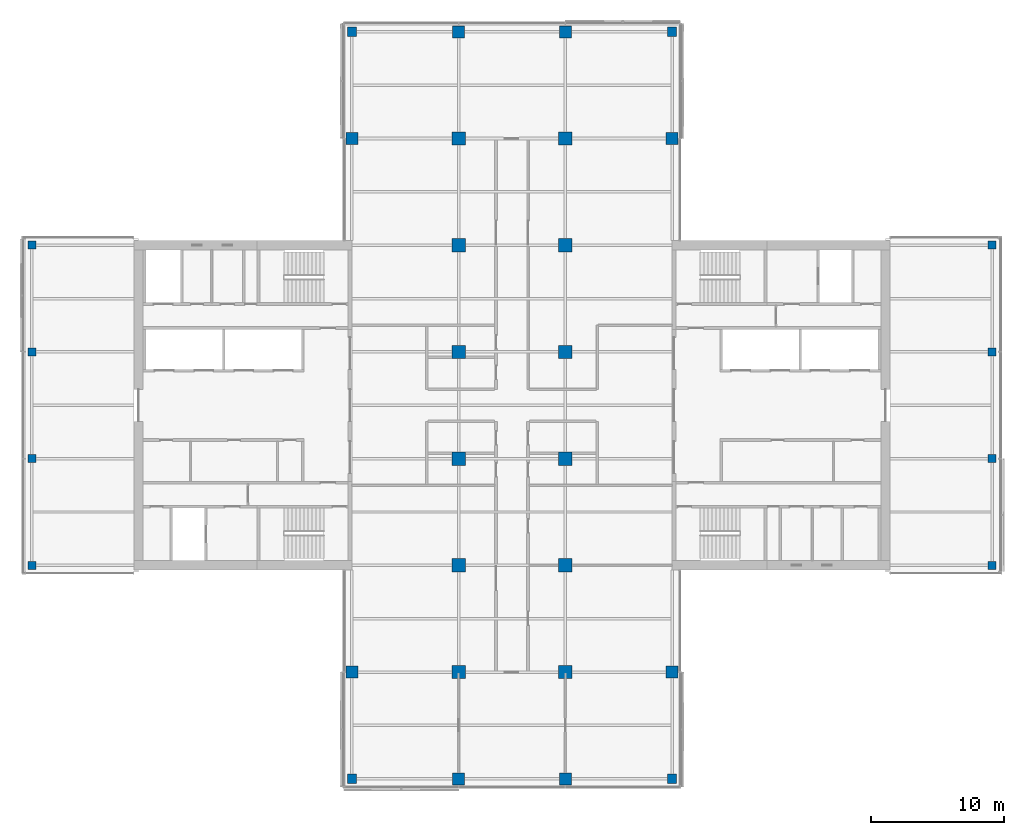
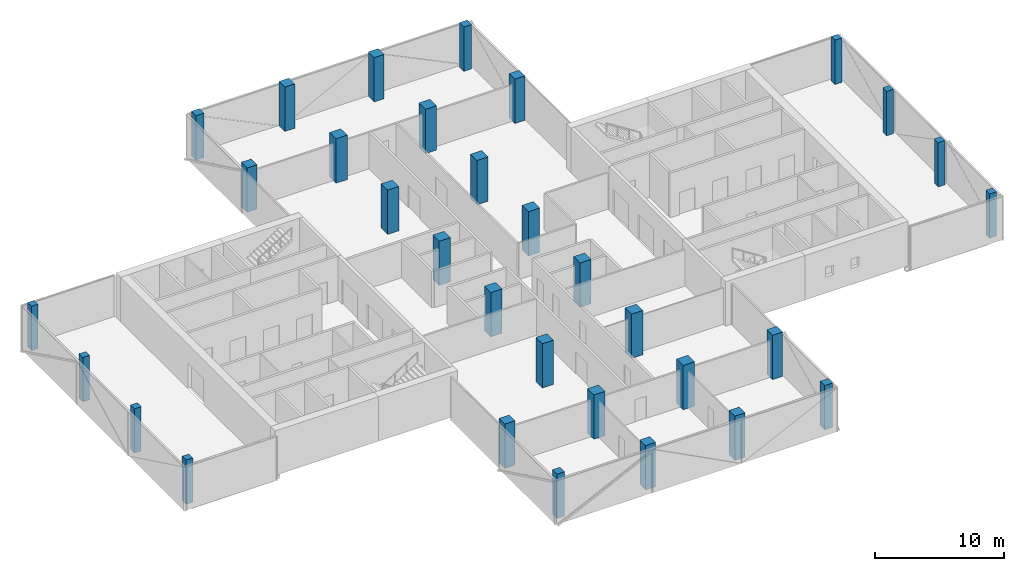
# One storey, part 1 of 22: 32 columns.
"""IFC4 building model written with IfcOpenShell, lengths in metres."""

import ifcopenshell
import ifcopenshell.guid

model = None  # the IFC model being written
_history = None  # IfcOwnerHistory: only IFC2X3 demands one
_inside = {}  # id of a spatial element -> (the spatial element, [elements in it])
_under = {}  # id of a project, library or spatial element -> (it, [spatial elements below it])
_declared = {}  # id of a project -> (the project, [libraries it declares])
_typed = {}  # id of a type object -> (the type object, [elements of that type])
_made_of = {}  # id of a material, layer set ... -> (it, [elements and type objects made of it])


def new_model(schema):
    """Start an empty IFC model of exactly this schema.

    Asked for "IFC4X3", IfcOpenShell would pick the latest addendum, in which some entities
    have other attributes; the version numbers below select the first issue.
    IFC2X3 requires an IfcOwnerHistory on every rooted entity: one is made here for all.
    """
    global model, _history
    if schema == "IFC4X3":
        model = ifcopenshell.file(schema_version=(4, 3, 0, 0))
    else:
        model = ifcopenshell.file(schema=schema)
    _inside.clear()
    _under.clear()
    _declared.clear()
    _typed.clear()
    _made_of.clear()
    _history = None
    if model.schema == "IFC2X3":
        org = make("IfcOrganization", Name="unknown")
        user = make(
            "IfcPersonAndOrganization",
            ThePerson=make("IfcPerson", FamilyName="unknown"),
            TheOrganization=org,
        )
        app = make(
            "IfcApplication",
            ApplicationDeveloper=org,
            Version="unknown",
            ApplicationFullName="unknown",
            ApplicationIdentifier="unknown",
        )
        _history = make(
            "IfcOwnerHistory",
            OwningUser=user,
            OwningApplication=app,
            ChangeAction="ADDED",
            CreationDate=0,
        )
    return model


def make(cls, **values):
    """One entity of the class cls with the attributes given. An attribute that is None is left unset."""
    return model.create_entity(
        cls, **{name: value for name, value in values.items() if value is not None}
    )


def rooted(cls, **values):
    """An entity with a GlobalId (a new one), such as an element, a storey or a relation."""
    return make(cls, GlobalId=ifcopenshell.guid.new(), OwnerHistory=_history, **values)


def si_unit(unit_type, name, prefix=None):
    """IfcSIUnit, for example si_unit("LENGTHUNIT", "METRE", prefix="MILLI")."""
    return make("IfcSIUnit", UnitType=unit_type, Prefix=prefix, Name=name)


def assignment(units):
    """IfcUnitAssignment: the units of a project."""
    return None if units is None else make("IfcUnitAssignment", Units=units)


def point(xyz):
    """IfcCartesianPoint."""
    return None if xyz is None else make("IfcCartesianPoint", Coordinates=xyz)


def direction(xyz):
    """IfcDirection."""
    return None if xyz is None else make("IfcDirection", DirectionRatios=xyz)


def frame(location, z_axis=None, x_axis=None):
    """IfcAxis2Placement3D, a coordinate frame: its origin and axes. An axis left out is left unset."""
    return make(
        "IfcAxis2Placement3D",
        Location=point(location),
        Axis=direction(z_axis),
        RefDirection=direction(x_axis),
    )


def frame_2d(location, x_axis=None):
    """IfcAxis2Placement2D, a coordinate frame in the plane: its origin and x axis."""
    return make(
        "IfcAxis2Placement2D", Location=point(location), RefDirection=direction(x_axis)
    )


def origin():
    """The frame at (0, 0, 0) with its axes left unset."""
    return frame((0.0, 0.0, 0.0))


def origin_2d():
    """The frame at (0, 0) in the plane with its x axis left unset."""
    return frame_2d((0.0, 0.0))


def place(relative_to, where):
    """IfcLocalPlacement: puts the frame where relative to a parent placement (None: the world)."""
    return make(
        "IfcLocalPlacement", PlacementRelTo=relative_to, RelativePlacement=where
    )


def context(
    kind, dimensions, precision=None, world=None, true_north=None, identifier=None
):
    """IfcGeometricRepresentationContext, for example the 3D "Model" context."""
    return make(
        "IfcGeometricRepresentationContext",
        ContextIdentifier=identifier,
        ContextType=kind,
        CoordinateSpaceDimension=dimensions,
        Precision=precision,
        WorldCoordinateSystem=world,
        TrueNorth=true_north,
    )


def subcontext(parent, identifier, kind, view, scale=None):
    """IfcGeometricRepresentationSubContext, for example "Body" below "Model"."""
    return make(
        "IfcGeometricRepresentationSubContext",
        ContextIdentifier=identifier,
        ContextType=kind,
        ParentContext=parent,
        TargetScale=scale,
        TargetView=view,
    )


def project(units=None, contexts=None):
    """IfcProject with its units and contexts."""
    return rooted(
        "IfcProject",
        Name="project",
        RepresentationContexts=contexts,
        UnitsInContext=assignment(units),
    )


def spatial(cls, under=None, at=None, **own):
    """A site, building, storey or space (cls), placed at a placement, below another one or the project."""
    s = rooted(cls, ObjectPlacement=at, **own)
    if under is not None:
        _under.setdefault(under.id(), (under, []))[1].append(s)
    return s


def profile(cls, at=None, kind="AREA", **sizes):
    """A parametric profile (cls). Its sizes go by their IFC names, for example OverallWidth=200.0."""
    return make(cls, ProfileType=kind, Position=at, **sizes)


def rectangle(**sizes):
    """IfcRectangleProfileDef."""
    return profile("IfcRectangleProfileDef", **sizes)


def extrude(swept, where, along, depth):
    """IfcExtrudedAreaSolid: the profile swept, set in the frame where, extruded along a direction by depth."""
    return make(
        "IfcExtrudedAreaSolid",
        SweptArea=swept,
        Position=where,
        ExtrudedDirection=direction(along),
        Depth=depth,
    )


def shape(context_of_items, identifier, shape_type, items):
    """IfcShapeRepresentation: the items that make up one representation, for example the "Body"."""
    return make(
        "IfcShapeRepresentation",
        ContextOfItems=context_of_items,
        RepresentationIdentifier=identifier,
        RepresentationType=shape_type,
        Items=items,
    )


def material(Name=None, Category=None):
    """IfcMaterial."""
    return make("IfcMaterial", Name=Name, Category=Category)


def material_profile(
    of_material, cross_section, Name=None, Category=None, Priority=None
):
    """IfcMaterialProfile: a cross section and its material."""
    return make(
        "IfcMaterialProfile",
        Name=Name,
        Material=of_material,
        Profile=cross_section,
        Priority=Priority,
        Category=Category,
    )


def profile_set(profiles, Name=None, composite=None):
    """IfcMaterialProfileSet."""
    return make(
        "IfcMaterialProfileSet",
        Name=Name,
        MaterialProfiles=profiles,
        CompositeProfile=composite,
    )


def made_of(thing, what):
    """Note that an element or type object is made of a material, layer set ...; save() writes the relation."""
    if what is not None:
        _made_of.setdefault(what.id(), (what, []))[1].append(thing)
    return thing


def type_object(cls, material=None, **own):
    """A type object (cls), such as IfcWallType, which elements share."""
    return made_of(rooted(cls, **own), material)


def element(
    cls,
    number,
    at=None,
    inside=None,
    cuts=None,
    type_object=None,
    material=None,
    context=None,
    identifier="Body",
    shape_type=None,
    held_by="IfcProductDefinitionShape",
    body=None,
    shapes=None,
    **own,
):
    """One element of the class cls, such as IfcWall. Its Tag is "e" and its number.

    at: its placement. inside: the storey or other place that contains it. cuts: it is an
    opening in that element (IfcRelVoidsElement). A single representation is given by context,
    identifier, shape_type and body (its items); several are given by shapes. held_by: the class
    of the entity that holds the representations. save() writes the other relations.
    """
    e = rooted(cls, Tag="e%d" % number, ObjectPlacement=at, **own)
    if body is not None:
        shapes = [shape(context, identifier, shape_type, body)]
    if shapes is not None:
        e.Representation = make(held_by, Representations=shapes)
    if inside is not None:
        _inside.setdefault(inside.id(), (inside, []))[1].append(e)
    if cuts is not None:
        rooted(
            "IfcRelVoidsElement", RelatingBuildingElement=cuts, RelatedOpeningElement=e
        )
    if type_object is not None:
        _typed.setdefault(type_object.id(), (type_object, []))[1].append(e)
    return made_of(e, material)


def aggregate(whole, parts):
    """IfcRelAggregates: a whole, such as a stair, and the parts it consists of."""
    return rooted("IfcRelAggregates", RelatingObject=whole, RelatedObjects=parts)


def save(model, path):
    """Write the relations noted so far, then the file.

    IfcRelAggregates (storeys below a building ...), IfcRelContainedInSpatialStructure (elements
    in a storey), IfcRelDefinesByType, IfcRelAssociatesMaterial and IfcRelDeclares: one each for
    every whole, place, type object, material and project.
    """
    for whole, parts in _under.values():
        aggregate(whole, parts)
    for where, things in _inside.values():
        rooted(
            "IfcRelContainedInSpatialStructure",
            RelatedElements=things,
            RelatingStructure=where,
        )
    for kind, things in _typed.values():
        rooted("IfcRelDefinesByType", RelatedObjects=things, RelatingType=kind)
    for what, things in _made_of.values():
        rooted("IfcRelAssociatesMaterial", RelatedObjects=things, RelatingMaterial=what)
    for by, libraries in _declared.values():
        rooted("IfcRelDeclares", RelatingContext=by, RelatedDefinitions=libraries)
    model.write(path)


model = new_model("IFC4")

# Units and contexts
model_context = context("Model", 3, precision=1e-05, world=origin(), true_north=direction((0.0, 1.0)))
body_context = subcontext(model_context, "Body", "Model", "MODEL_VIEW")
ifc_project = project(units=[si_unit("LENGTHUNIT", "METRE"), si_unit("AREAUNIT", "SQUARE_METRE"), si_unit("VOLUMEUNIT", "CUBIC_METRE"), si_unit("PLANEANGLEUNIT", "RADIAN"), si_unit("MASSUNIT", "GRAM", prefix="KILO")], contexts=[model_context])

# Site, building, storey
site_placement = place(None, origin())
site = spatial("IfcSite", under=ifc_project, at=site_placement, CompositionType="ELEMENT")
building_placement = place(site_placement, origin())
building = spatial("IfcBuilding", under=site, at=building_placement, Name="Crosswind Convention Tower", CompositionType="ELEMENT")
storey_placement = place(building_placement, frame((0.0, 0.0, 125.300048828125)))
storey = spatial("IfcBuildingStorey", under=building, at=storey_placement, Name="L25", CompositionType="ELEMENT", Elevation=125.300048828125)

# Columns
ifc_material_1 = material(Name="Concrete C70/85", Category="concrete")
ifc_material_profile_1 = material_profile(ifc_material_1, rectangle(XDim=1.0, YDim=1.0, at=origin_2d()), Name="RC 1000X1000")
ifc_profile_set_1 = profile_set([ifc_material_profile_1], Name="Concrete C70/85")
column_type_1 = type_object("IfcColumnType", Name="Column RC 1000X1000", PredefinedType="COLUMN", material=ifc_profile_set_1)
for number, where, z_axis, x_axis, name in (
    (1, (121.0, 80.0, 0.0), (0.0, 0.0, 1.0), (1.0, 0.0, 0.0), "C12 L25 6/D"),
    (2, (121.0, 88.0, 0.0), (0.0, 0.0, 1.0), (1.0, 0.0, 0.0), "C12 L25 6/E"),
    (3, (121.0, 96.0, 0.0), (0.0, 0.0, 1.0), (1.0, 0.0, 0.0), "C12 L25 6/F"),
    (4, (121.0, 104.0, 0.0), (0.0, 0.0, 1.0), (1.0, 0.0, 0.0), "C12 L25 6/G"),
    (5, (121.0, 112.0, 0.0), (0.0, 0.0, 1.0), (1.0, 0.0, 0.0), "C12 L25 6/H"),
    (6, (121.0, 120.0, 0.0), (0.0, 0.0, 1.0), (1.0, 0.0, 0.0), "C12 L25 6/I"),
    (7, (129.0, 80.0, 0.0), (0.0, 0.0, 1.0), (1.0, 0.0, 0.0), "C12 L25 7/D"),
    (8, (129.0, 88.0, 0.0), (0.0, 0.0, 1.0), (1.0, 0.0, 0.0), "C12 L25 7/E"),
    (9, (129.0, 96.0, 0.0), (0.0, 0.0, 1.0), (1.0, 0.0, 0.0), "C12 L25 7/F"),
    (10, (129.0, 104.0, 0.0), (0.0, 0.0, 1.0), (1.0, 0.0, 0.0), "C12 L25 7/G"),
    (11, (129.0, 112.0, 0.0), (0.0, 0.0, 1.0), (1.0, 0.0, 0.0), "C12 L25 7/H"),
    (12, (129.0, 120.0, 0.0), (0.0, 0.0, 1.0), (1.0, 0.0, 0.0), "C12 L25 7/I"),
):
    element("IfcColumn", number, at=place(storey_placement, frame(where, z_axis=z_axis, x_axis=x_axis)), inside=storey, type_object=column_type_1, Name=name, PredefinedType="COLUMN", context=body_context, shape_type="SweptSolid", body=[
        extrude(rectangle(XDim=1.0, YDim=1.0, at=origin_2d()), origin(), (0.0, 0.0, 1.0), 4.199951171875),
    ])
ifc_material_2 = material(Name="Concrete C60/75", Category="concrete")
ifc_material_profile_2 = material_profile(ifc_material_2, rectangle(XDim=0.60009765625, YDim=0.60009765625, at=origin_2d()), Name="RC 600X600")
ifc_profile_set_2 = profile_set([ifc_material_profile_2], Name="Concrete C60/75")
column_type_2 = type_object("IfcColumnType", Name="Column RC 600X600", PredefinedType="COLUMN", material=ifc_profile_set_2)
for number, where, z_axis, x_axis, name in (
    (13, (89.0, 88.0, 0.0), (0.0, 0.0, 1.0), (1.0, 0.0, 0.0), "C16 L25 2/E"),
    (14, (89.0, 96.0, 0.0), (0.0, 0.0, 1.0), (1.0, 0.0, 0.0), "C16 L25 2/F"),
    (15, (89.0, 104.0, 0.0), (0.0, 0.0, 1.0), (1.0, 0.0, 0.0), "C16 L25 2/G"),
    (16, (89.0, 112.0, 0.0), (0.0, 0.0, 1.0), (1.0, 0.0, 0.0), "C16 L25 2/H"),
    (17, (161.0, 88.0, 0.0), (0.0, 0.0, 1.0), (1.0, 0.0, 0.0), "C16 L25 11/E"),
    (18, (161.0, 96.0, 0.0), (0.0, 0.0, 1.0), (1.0, 0.0, 0.0), "C16 L25 11/F"),
    (19, (161.0, 104.0, 0.0), (0.0, 0.0, 1.0), (1.0, 0.0, 0.0), "C16 L25 11/G"),
    (20, (161.0, 112.0, 0.0), (0.0, 0.0, 1.0), (1.0, 0.0, 0.0), "C16 L25 11/H"),
):
    element("IfcColumn", number, at=place(storey_placement, frame(where, z_axis=z_axis, x_axis=x_axis)), inside=storey, type_object=column_type_2, Name=name, PredefinedType="COLUMN", context=body_context, shape_type="SweptSolid", body=[
        extrude(rectangle(XDim=0.60009765625, YDim=0.60009765625, at=origin_2d()), origin(), (0.0, 0.0, 1.0), 4.199951171875),
    ])
ifc_material_profile_3 = material_profile(ifc_material_2, rectangle(XDim=0.699951171875, YDim=0.699951171875, at=origin_2d()), Name="RC 700X700")
ifc_profile_set_3 = profile_set([ifc_material_profile_3], Name="Concrete C60/75")
column_type_3 = type_object("IfcColumnType", Name="Column RC 700X700", PredefinedType="COLUMN", material=ifc_profile_set_3)
for number, where, z_axis, x_axis, name in (
    (21, (113.0, 72.0, 0.0), (0.0, 0.0, 1.0), (1.0, 0.0, 0.0), "C15 L25 5/C"),
    (22, (113.0, 128.0, 0.0), (0.0, 0.0, 1.0), (1.0, 0.0, 0.0), "C15 L25 5/J"),
    (23, (137.0, 72.0, 0.0), (0.0, 0.0, 1.0), (1.0, 0.0, 0.0), "C15 L25 8/C"),
    (24, (137.0, 128.0, 0.0), (0.0, 0.0, 1.0), (1.0, 0.0, 0.0), "C15 L25 8/J"),
):
    element("IfcColumn", number, at=place(storey_placement, frame(where, z_axis=z_axis, x_axis=x_axis)), inside=storey, type_object=column_type_3, Name=name, PredefinedType="COLUMN", context=body_context, shape_type="SweptSolid", body=[
        extrude(rectangle(XDim=0.699951171875, YDim=0.699951171875, at=origin_2d()), origin(), (0.0, 0.0, 1.0), 4.199951171875),
    ])
ifc_material_profile_4 = material_profile(ifc_material_2, rectangle(XDim=0.89990234375, YDim=0.89990234375, at=origin_2d()), Name="RC 900X900")
ifc_profile_set_4 = profile_set([ifc_material_profile_4], Name="Concrete C60/75")
column_type_4 = type_object("IfcColumnType", Name="Column RC 900X900", PredefinedType="COLUMN", material=ifc_profile_set_4)
for number, where, z_axis, x_axis, name in (
    (25, (113.0, 80.0, 0.0), (0.0, 0.0, 1.0), (1.0, 0.0, 0.0), "C13 L25 5/D"),
    (26, (113.0, 120.0, 0.0), (0.0, 0.0, 1.0), (1.0, 0.0, 0.0), "C13 L25 5/I"),
    (27, (121.0, 72.0, 0.0), (0.0, 0.0, 1.0), (1.0, 0.0, 0.0), "C13 L25 6/C"),
    (28, (121.0, 128.0, 0.0), (0.0, 0.0, 1.0), (1.0, 0.0, 0.0), "C13 L25 6/J"),
    (29, (129.0, 72.0, 0.0), (0.0, 0.0, 1.0), (1.0, 0.0, 0.0), "C13 L25 7/C"),
    (30, (129.0, 128.0, 0.0), (0.0, 0.0, 1.0), (1.0, 0.0, 0.0), "C13 L25 7/J"),
    (31, (137.0, 80.0, 0.0), (0.0, 0.0, 1.0), (1.0, 0.0, 0.0), "C13 L25 8/D"),
    (32, (137.0, 120.0, 0.0), (0.0, 0.0, 1.0), (1.0, 0.0, 0.0), "C13 L25 8/I"),
):
    element("IfcColumn", number, at=place(storey_placement, frame(where, z_axis=z_axis, x_axis=x_axis)), inside=storey, type_object=column_type_4, Name=name, PredefinedType="COLUMN", context=body_context, shape_type="SweptSolid", body=[
        extrude(rectangle(XDim=0.89990234375, YDim=0.89990234375, at=origin_2d()), origin(), (0.0, 0.0, 1.0), 4.199951171875),
    ])

save(model, "model.ifc")
